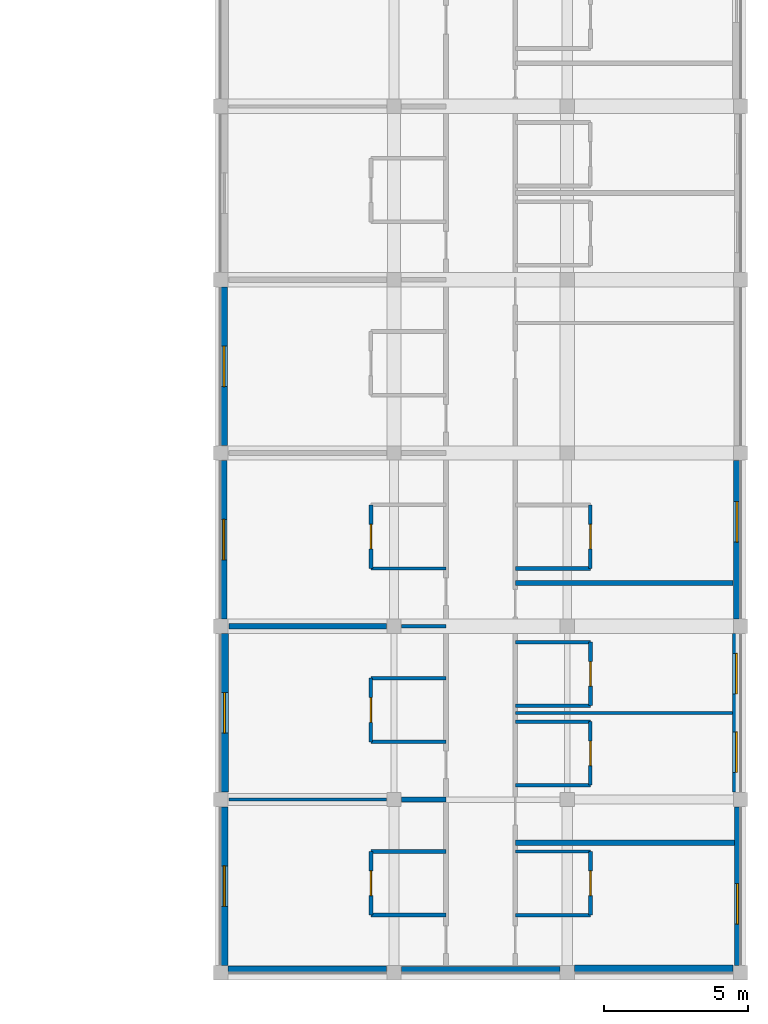
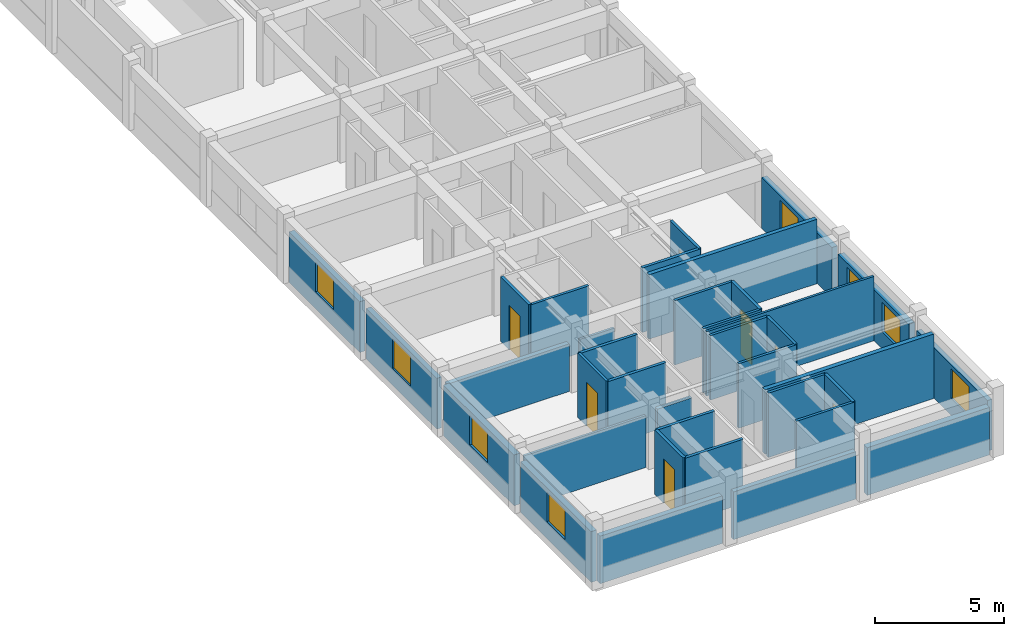
# One storey, part 3 of 15: 36 walls, 8 windows, 7 doors, 15 openings.
"""IFC4 building model written with IfcOpenShell, lengths in metres."""

from ifc_helpers import new_model, si_unit, direction, frame, frame_2d, origin, place, context, subcontext, project, spatial, rectangle, extrude, material, layer, layer_set, type_object, element, fill, save


model = new_model("IFC4")

# Units and contexts
model_context = context("Model", 3, precision=1e-05, world=origin(), true_north=direction((0.0, 1.0)))
body_context = subcontext(model_context, "Body", "Model", "MODEL_VIEW")
ifc_project = project(units=[si_unit("LENGTHUNIT", "METRE"), si_unit("AREAUNIT", "SQUARE_METRE"), si_unit("VOLUMEUNIT", "CUBIC_METRE"), si_unit("PLANEANGLEUNIT", "RADIAN"), si_unit("MASSUNIT", "GRAM", prefix="KILO"), si_unit("THERMODYNAMICTEMPERATUREUNIT", "KELVIN"), si_unit("POWERUNIT", "WATT")], contexts=[model_context])

# Site, building, storey
site_placement = place(None, origin())
site = spatial("IfcSite", under=ifc_project, at=site_placement, CompositionType="ELEMENT")
building_placement = place(site_placement, origin())
building = spatial("IfcBuilding", under=site, at=building_placement, Name="Phaisarnlok Congress Hotel", CompositionType="ELEMENT")
storey_placement = place(building_placement, frame((0.0, 0.0, 38.10009765625)))
storey = spatial("IfcBuildingStorey", under=building, at=storey_placement, Name="L09", CompositionType="ELEMENT", Elevation=38.10009765625)

# Wall, opening, window
ifc_material_1 = material(Name="Concrete C40/50", Category="concrete")
ifc_layer_1 = layer(ifc_material_1, 0.2099609375, Name="Concrete C40/50")
ifc_layer_set_1 = layer_set([ifc_layer_1], Name="Concrete C40/50")
wall_type_1 = type_object("IfcWallType", Name="WL-EXT-210", PredefinedType="SOLIDWALL", material=ifc_layer_set_1)
wall_1_placement = place(storey_placement, frame((179.89501953125, 42.2548828125, 0.0), z_axis=(0.0, 0.0, 1.0), x_axis=(0.0, 1.0, 0.0)))
wall_1 = element("IfcWall", 1, at=wall_1_placement, inside=storey, type_object=wall_type_1, Name="Exterior wall EW-07 (L09)", PredefinedType="SOLIDWALL", context=body_context, shape_type="SweptSolid", body=[
    extrude(rectangle(XDim=5.490234375, YDim=0.2099609375, at=frame_2d((2.7451171875, 0.0))), origin(), (0.0, 0.0, 1.0), 2.409912109375),
])
opening_1_placement = place(wall_1_placement, frame((1.43310546875, 0.0, 0.800048828125)))
opening_1 = element("IfcOpeningElement", 2, at=opening_1_placement, cuts=wall_1, Name="Opening W-13", PredefinedType="OPENING", context=body_context, shape_type="SweptSolid", body=[
    extrude(rectangle(XDim=1.39990234375, YDim=1.39990234375, at=frame_2d((0.699951171875, 0.699951171875))), frame((0.0, 0.114990234375, 0.0), z_axis=(0.0, -1.0, 0.0), x_axis=(1.0, 0.0, 0.0)), (0.0, 0.0, 1.0), 0.22998046875),
])
ifc_material_2 = material(Name="Thermally Broken Aluminium & Low-E Double Glazing", Category="aluminium")
window_type = type_object("IfcWindowType", Name="WIN-POD-1400", PartitioningType="SINGLE_PANEL", PredefinedType="WINDOW", material=ifc_material_2)
window_1_placement = place(opening_1_placement, origin())
window_1 = element("IfcWindow", 3, at=window_1_placement, inside=storey, type_object=window_type, Name="Guestroom window W-13 (L09)", OverallHeight=1.39990234375, OverallWidth=1.39990234375, PartitioningType="SINGLE_PANEL", PredefinedType="WINDOW", context=body_context, shape_type="SweptSolid", body=[
    extrude(rectangle(XDim=1.39990234375, YDim=1.39990234375, at=frame_2d((0.699951171875, 0.699951171875))), frame((0.0, 0.030029296875, 0.0), z_axis=(0.0, -1.0, 0.0), x_axis=(1.0, 0.0, 0.0)), (0.0, 0.0, 1.0), 0.06005859375),
])
fill(opening_1, window_1)

wall_2_placement = place(storey_placement, frame((162.10498046875, 59.7451171875, 0.0), z_axis=(0.0, 0.0, 1.0), x_axis=(0.0, -1.0, 0.0)))
wall_2 = element("IfcWall", 4, at=wall_2_placement, inside=storey, type_object=wall_type_1, Name="Exterior wall EW-07 (L09)", PredefinedType="SOLIDWALL", context=body_context, shape_type="SweptSolid", body=[
    extrude(rectangle(XDim=5.490234375, YDim=0.2099609375, at=frame_2d((2.7451171875, 0.0))), origin(), (0.0, 0.0, 1.0), 2.409912109375),
])
opening_2_placement = place(wall_2_placement, frame((2.044921875, 0.0, 0.800048828125)))
opening_2 = element("IfcOpeningElement", 5, at=opening_2_placement, cuts=wall_2, Name="Opening W-13", PredefinedType="OPENING", context=body_context, shape_type="SweptSolid", body=[
    extrude(rectangle(XDim=1.39990234375, YDim=1.39990234375, at=frame_2d((0.699951171875, 0.699951171875))), frame((0.0, 0.114990234375, 0.0), z_axis=(0.0, -1.0, 0.0), x_axis=(1.0, 0.0, 0.0)), (0.0, 0.0, 1.0), 0.22998046875),
])
window_2_placement = place(opening_2_placement, origin())
window_2 = element("IfcWindow", 6, at=window_2_placement, inside=storey, type_object=window_type, Name="Guestroom window W-13 (L09)", OverallHeight=1.39990234375, OverallWidth=1.39990234375, PartitioningType="SINGLE_PANEL", PredefinedType="WINDOW", context=body_context, shape_type="SweptSolid", body=[
    extrude(rectangle(XDim=1.39990234375, YDim=1.39990234375, at=frame_2d((0.699951171875, 0.699951171875))), frame((0.0, 0.030029296875, 0.0), z_axis=(0.0, -1.0, 0.0), x_axis=(1.0, 0.0, 0.0)), (0.0, 0.0, 1.0), 0.06005859375),
])
fill(opening_2, window_2)

# Wall
wall_3_placement = place(storey_placement, frame((168.2548828125, 42.10498046875, 0.0), z_axis=(0.0, 0.0, 1.0), x_axis=(1.0, 0.0, 0.0)))
element("IfcWall", 7, at=wall_3_placement, inside=storey, type_object=wall_type_1, Name="Exterior wall EW-07 (L09)", PredefinedType="SOLIDWALL", context=body_context, shape_type="SweptSolid", body=[
    extrude(rectangle(XDim=5.490234375, YDim=0.2099609375, at=frame_2d((2.7451171875, 0.0))), origin(), (0.0, 0.0, 1.0), 2.260009765625),
])

# Wall, opening, window
ifc_layer_2 = layer(ifc_material_1, 0.22998046875, Name="Concrete C40/50")
ifc_layer_set_2 = layer_set([ifc_layer_2], Name="Concrete C40/50")
wall_type_2 = type_object("IfcWallType", Name="WL-EXT-230", PredefinedType="SOLIDWALL", material=ifc_layer_set_2)
wall_4_placement = place(storey_placement, frame((162.114990234375, 65.7451171875, 0.0), z_axis=(0.0, 0.0, 1.0), x_axis=(0.0, -1.0, 0.0)))
wall_4 = element("IfcWall", 8, at=wall_4_placement, inside=storey, type_object=wall_type_2, Name="Exterior wall EW-06 (L09)", PredefinedType="SOLIDWALL", context=body_context, shape_type="SweptSolid", body=[
    extrude(rectangle(XDim=5.490234375, YDim=0.22998046875, at=frame_2d((2.7451171875, 0.0))), origin(), (0.0, 0.0, 1.0), 2.409912109375),
])
opening_3_placement = place(wall_4_placement, frame((2.044921875, 0.0, 0.800048828125)))
opening_3 = element("IfcOpeningElement", 9, at=opening_3_placement, cuts=wall_4, Name="Opening W-13", PredefinedType="OPENING", context=body_context, shape_type="SweptSolid", body=[
    extrude(rectangle(XDim=1.39990234375, YDim=1.39990234375, at=frame_2d((0.699951171875, 0.699951171875))), frame((0.0, 0.125, 0.0), z_axis=(0.0, -1.0, 0.0), x_axis=(1.0, 0.0, 0.0)), (0.0, 0.0, 1.0), 0.25),
])
window_3_placement = place(opening_3_placement, origin())
window_3 = element("IfcWindow", 10, at=window_3_placement, inside=storey, type_object=window_type, Name="Guestroom window W-13 (L09)", OverallHeight=1.39990234375, OverallWidth=1.39990234375, PartitioningType="SINGLE_PANEL", PredefinedType="WINDOW", context=body_context, shape_type="SweptSolid", body=[
    extrude(rectangle(XDim=1.39990234375, YDim=1.39990234375, at=frame_2d((0.699951171875, 0.699951171875))), frame((0.0, 0.030029296875, 0.0), z_axis=(0.0, -1.0, 0.0), x_axis=(1.0, 0.0, 0.0)), (0.0, 0.0, 1.0), 0.06005859375),
])
fill(opening_3, window_3)

# Wall
wall_5_placement = place(storey_placement, frame((162.2548828125, 42.114990234375, 0.0), z_axis=(0.0, 0.0, 1.0), x_axis=(1.0, 0.0, 0.0)))
element("IfcWall", 11, at=wall_5_placement, inside=storey, type_object=wall_type_2, Name="Exterior wall EW-06 (L09)", PredefinedType="SOLIDWALL", context=body_context, shape_type="SweptSolid", body=[
    extrude(rectangle(XDim=5.490234375, YDim=0.22998046875, at=frame_2d((2.7451171875, 0.0))), origin(), (0.0, 0.0, 1.0), 2.260009765625),
])

# Wall, opening, window
ifc_layer_3 = layer(ifc_material_1, 0.25, Name="Concrete C40/50")
ifc_layer_set_3 = layer_set([ifc_layer_3], Name="Concrete C40/50")
wall_type_3 = type_object("IfcWallType", Name="WL-EXT-250", PredefinedType="SOLIDWALL", material=ifc_layer_set_3)
wall_6_placement = place(storey_placement, frame((179.875, 54.2548828125, 0.0), z_axis=(0.0, 0.0, 1.0), x_axis=(0.0, 1.0, 0.0)))
wall_6 = element("IfcWall", 12, at=wall_6_placement, inside=storey, type_object=wall_type_3, Name="Exterior wall EW-05 (L09)", PredefinedType="SOLIDWALL", context=body_context, shape_type="SweptSolid", body=[
    extrude(rectangle(XDim=5.490234375, YDim=0.25, at=frame_2d((2.7451171875, 0.0))), origin(), (0.0, 0.0, 1.0), 2.409912109375),
])
opening_4_placement = place(wall_6_placement, frame((2.656982421875, 0.0, 0.800048828125)))
opening_4 = element("IfcOpeningElement", 13, at=opening_4_placement, cuts=wall_6, Name="Opening W-13", PredefinedType="OPENING", context=body_context, shape_type="SweptSolid", body=[
    extrude(rectangle(XDim=1.39990234375, YDim=1.39990234375, at=frame_2d((0.699951171875, 0.699951171875))), frame((0.0, 0.135009765625, 0.0), z_axis=(0.0, -1.0, 0.0), x_axis=(1.0, 0.0, 0.0)), (0.0, 0.0, 1.0), 0.27001953125),
])
window_4_placement = place(opening_4_placement, origin())
window_4 = element("IfcWindow", 14, at=window_4_placement, inside=storey, type_object=window_type, Name="Guestroom window W-13 (L09)", OverallHeight=1.39990234375, OverallWidth=1.39990234375, PartitioningType="SINGLE_PANEL", PredefinedType="WINDOW", context=body_context, shape_type="SweptSolid", body=[
    extrude(rectangle(XDim=1.39990234375, YDim=1.39990234375, at=frame_2d((0.699951171875, 0.699951171875))), frame((0.0, 0.030029296875, 0.0), z_axis=(0.0, -1.0, 0.0), x_axis=(1.0, 0.0, 0.0)), (0.0, 0.0, 1.0), 0.06005859375),
])
fill(opening_4, window_4)

wall_7_placement = place(storey_placement, frame((162.125, 47.7451171875, 0.0), z_axis=(0.0, 0.0, 1.0), x_axis=(0.0, -1.0, 0.0)))
wall_7 = element("IfcWall", 15, at=wall_7_placement, inside=storey, type_object=wall_type_3, Name="Exterior wall EW-05 (L09)", PredefinedType="SOLIDWALL", context=body_context, shape_type="SweptSolid", body=[
    extrude(rectangle(XDim=5.490234375, YDim=0.25, at=frame_2d((2.7451171875, 0.0))), origin(), (0.0, 0.0, 1.0), 2.409912109375),
])
opening_5_placement = place(wall_7_placement, frame((2.044921875, 0.0, 0.800048828125)))
opening_5 = element("IfcOpeningElement", 16, at=opening_5_placement, cuts=wall_7, Name="Opening W-13", PredefinedType="OPENING", context=body_context, shape_type="SweptSolid", body=[
    extrude(rectangle(XDim=1.39990234375, YDim=1.39990234375, at=frame_2d((0.699951171875, 0.699951171875))), frame((0.0, 0.135009765625, 0.0), z_axis=(0.0, -1.0, 0.0), x_axis=(1.0, 0.0, 0.0)), (0.0, 0.0, 1.0), 0.27001953125),
])
window_5_placement = place(opening_5_placement, origin())
window_5 = element("IfcWindow", 17, at=window_5_placement, inside=storey, type_object=window_type, Name="Guestroom window W-13 (L09)", OverallHeight=1.39990234375, OverallWidth=1.39990234375, PartitioningType="SINGLE_PANEL", PredefinedType="WINDOW", context=body_context, shape_type="SweptSolid", body=[
    extrude(rectangle(XDim=1.39990234375, YDim=1.39990234375, at=frame_2d((0.699951171875, 0.699951171875))), frame((0.0, 0.030029296875, 0.0), z_axis=(0.0, -1.0, 0.0), x_axis=(1.0, 0.0, 0.0)), (0.0, 0.0, 1.0), 0.06005859375),
])
fill(opening_5, window_5)

# Wall, openings, windows
ifc_layer_4 = layer(ifc_material_1, 0.27001953125, Name="Concrete C40/50")
ifc_layer_set_4 = layer_set([ifc_layer_4], Name="Concrete C40/50")
wall_type_4 = type_object("IfcWallType", Name="WL-EXT-270", PredefinedType="SOLIDWALL", material=ifc_layer_set_4)
wall_8_placement = place(storey_placement, frame((179.864990234375, 48.2548828125, 0.0), z_axis=(0.0, 0.0, 1.0), x_axis=(0.0, 1.0, 0.0)))
wall_8 = element("IfcWall", 18, at=wall_8_placement, inside=storey, type_object=wall_type_4, Name="Exterior wall EW-04 (L09)", PredefinedType="SOLIDWALL", context=body_context, shape_type="SweptSolid", body=[
    extrude(rectangle(XDim=5.490234375, YDim=0.27001953125, at=frame_2d((2.7451171875, 0.0))), origin(), (0.0, 0.0, 1.0), 2.409912109375),
])
opening_6_placement = place(wall_8_placement, frame((0.68310546875, 0.0, 0.800048828125)))
opening_6 = element("IfcOpeningElement", 19, at=opening_6_placement, cuts=wall_8, Name="Opening W-13", PredefinedType="OPENING", context=body_context, shape_type="SweptSolid", body=[
    extrude(rectangle(XDim=1.39990234375, YDim=1.39990234375, at=frame_2d((0.699951171875, 0.699951171875))), frame((0.0, 0.14501953125, 0.0), z_axis=(0.0, -1.0, 0.0), x_axis=(1.0, 0.0, 0.0)), (0.0, 0.0, 1.0), 0.2900390625),
])
opening_7_placement = place(wall_8_placement, frame((3.406982421875, 0.0, 0.800048828125)))
opening_7 = element("IfcOpeningElement", 20, at=opening_7_placement, cuts=wall_8, Name="Opening W-13", PredefinedType="OPENING", context=body_context, shape_type="SweptSolid", body=[
    extrude(rectangle(XDim=1.39990234375, YDim=1.39990234375, at=frame_2d((0.699951171875, 0.699951171875))), frame((0.0, 0.14501953125, 0.0), z_axis=(0.0, -1.0, 0.0), x_axis=(1.0, 0.0, 0.0)), (0.0, 0.0, 1.0), 0.2900390625),
])
window_6_placement = place(opening_6_placement, origin())
window_6 = element("IfcWindow", 21, at=window_6_placement, inside=storey, type_object=window_type, Name="Guestroom window W-13 (L09)", OverallHeight=1.39990234375, OverallWidth=1.39990234375, PartitioningType="SINGLE_PANEL", PredefinedType="WINDOW", context=body_context, shape_type="SweptSolid", body=[
    extrude(rectangle(XDim=1.39990234375, YDim=1.39990234375, at=frame_2d((0.699951171875, 0.699951171875))), frame((0.0, 0.030029296875, 0.0), z_axis=(0.0, -1.0, 0.0), x_axis=(1.0, 0.0, 0.0)), (0.0, 0.0, 1.0), 0.06005859375),
])
fill(opening_6, window_6)
window_7_placement = place(opening_7_placement, origin())
window_7 = element("IfcWindow", 22, at=window_7_placement, inside=storey, type_object=window_type, Name="Guestroom window W-13 (L09)", OverallHeight=1.39990234375, OverallWidth=1.39990234375, PartitioningType="SINGLE_PANEL", PredefinedType="WINDOW", context=body_context, shape_type="SweptSolid", body=[
    extrude(rectangle(XDim=1.39990234375, YDim=1.39990234375, at=frame_2d((0.699951171875, 0.699951171875))), frame((0.0, 0.030029296875, 0.0), z_axis=(0.0, -1.0, 0.0), x_axis=(1.0, 0.0, 0.0)), (0.0, 0.0, 1.0), 0.06005859375),
])
fill(opening_7, window_7)

# Wall, opening, window
wall_9_placement = place(storey_placement, frame((162.135009765625, 53.7451171875, 0.0), z_axis=(0.0, 0.0, 1.0), x_axis=(0.0, -1.0, 0.0)))
wall_9 = element("IfcWall", 23, at=wall_9_placement, inside=storey, type_object=wall_type_4, Name="Exterior wall EW-04 (L09)", PredefinedType="SOLIDWALL", context=body_context, shape_type="SweptSolid", body=[
    extrude(rectangle(XDim=5.490234375, YDim=0.27001953125, at=frame_2d((2.7451171875, 0.0))), origin(), (0.0, 0.0, 1.0), 2.409912109375),
])
opening_8_placement = place(wall_9_placement, frame((2.044921875, 0.0, 0.800048828125)))
opening_8 = element("IfcOpeningElement", 24, at=opening_8_placement, cuts=wall_9, Name="Opening W-13", PredefinedType="OPENING", context=body_context, shape_type="SweptSolid", body=[
    extrude(rectangle(XDim=1.39990234375, YDim=1.39990234375, at=frame_2d((0.699951171875, 0.699951171875))), frame((0.0, 0.14501953125, 0.0), z_axis=(0.0, -1.0, 0.0), x_axis=(1.0, 0.0, 0.0)), (0.0, 0.0, 1.0), 0.2900390625),
])
window_8_placement = place(opening_8_placement, origin())
window_8 = element("IfcWindow", 25, at=window_8_placement, inside=storey, type_object=window_type, Name="Guestroom window W-13 (L09)", OverallHeight=1.39990234375, OverallWidth=1.39990234375, PartitioningType="SINGLE_PANEL", PredefinedType="WINDOW", context=body_context, shape_type="SweptSolid", body=[
    extrude(rectangle(XDim=1.39990234375, YDim=1.39990234375, at=frame_2d((0.699951171875, 0.699951171875))), frame((0.0, 0.030029296875, 0.0), z_axis=(0.0, -1.0, 0.0), x_axis=(1.0, 0.0, 0.0)), (0.0, 0.0, 1.0), 0.06005859375),
])
fill(opening_8, window_8)

# Walls
wall_10_placement = place(storey_placement, frame((174.2548828125, 42.135009765625, 0.0), z_axis=(0.0, 0.0, 1.0), x_axis=(1.0, 0.0, 0.0)))
element("IfcWall", 26, at=wall_10_placement, inside=storey, type_object=wall_type_4, Name="Exterior wall EW-04 (L09)", PredefinedType="SOLIDWALL", context=body_context, shape_type="SweptSolid", body=[
    extrude(rectangle(XDim=5.490234375, YDim=0.27001953125, at=frame_2d((2.7451171875, 0.0))), origin(), (0.0, 0.0, 1.0), 2.260009765625),
])
ifc_material_3 = material(Name="Service Riser Shaftwall Partition", Category="gypsum")
ifc_layer_5 = layer(ifc_material_3, 0.10498046875, Name="Service Riser Shaftwall Partition")
ifc_layer_set_5 = layer_set([ifc_layer_5], Name="Service Riser Shaftwall Partition")
wall_type_5 = type_object("IfcWallType", Name="WL-INT-105", PredefinedType="PARTITIONING", material=ifc_layer_set_5)
wall_11_placement = place(storey_placement, frame((162.280029296875, 48.0, 0.0), z_axis=(0.0, 0.0, 1.0), x_axis=(1.0, 0.0, 0.0)))
element("IfcWall", 27, at=wall_11_placement, inside=storey, type_object=wall_type_5, Name="Interior partition wall IW-08 (L09)", PredefinedType="PARTITIONING", context=body_context, shape_type="SweptSolid", body=[
    extrude(rectangle(XDim=5.465087890625, YDim=0.10498046875, at=frame_2d((2.732421875, 0.0))), origin(), (0.0, 0.0, 1.0), 2.4599609375),
])
wall_12_placement = place(storey_placement, frame((172.199951171875, 51.0, 0.0), z_axis=(0.0, 0.0, 1.0), x_axis=(1.0, 0.0, 0.0)))
element("IfcWall", 28, at=wall_12_placement, inside=storey, type_object=wall_type_5, Name="Interior partition wall IW-08 (L09)", PredefinedType="PARTITIONING", context=body_context, shape_type="SweptSolid", body=[
    extrude(rectangle(XDim=7.525146484375, YDim=0.10498046875, at=frame_2d((3.7626953125, 0.0))), origin(), (0.0, 0.0, 1.0), 3.059814453125),
])
wall_13_placement = place(storey_placement, frame((168.2548828125, 54.0, 0.0), z_axis=(0.0, 0.0, 1.0), x_axis=(1.0, 0.0, 0.0)))
element("IfcWall", 29, at=wall_13_placement, inside=storey, type_object=wall_type_5, Name="Interior partition wall IW-08 (L09)", PredefinedType="PARTITIONING", context=body_context, shape_type="SweptSolid", body=[
    extrude(rectangle(XDim=1.545166015625, YDim=0.10498046875, at=frame_2d((0.7724609375, 0.0))), origin(), (0.0, 0.0, 1.0), 2.260009765625),
])

# Wall, opening, door
ifc_material_4 = material(Name="Lightweight Metal-Stud Gypsum Partition", Category="gypsum")
ifc_layer_6 = layer(ifc_material_4, 0.1201171875, Name="Lightweight Metal-Stud Gypsum Partition")
ifc_layer_set_6 = layer_set([ifc_layer_6], Name="Lightweight Metal-Stud Gypsum Partition")
wall_type_6 = type_object("IfcWallType", Name="WL-INT-120", PredefinedType="PARTITIONING", material=ifc_layer_set_6)
wall_14_placement = place(storey_placement, frame((167.199951171875, 50.0, 0.0), z_axis=(0.0, 0.0, 1.0), x_axis=(0.0, 1.0, 0.0)))
wall_14 = element("IfcWall", 30, at=wall_14_placement, inside=storey, type_object=wall_type_6, Name="Interior partition wall IW-07 (L09)", PredefinedType="PARTITIONING", context=body_context, shape_type="SweptSolid", body=[
    extrude(rectangle(XDim=2.199951171875, YDim=0.1201171875, at=frame_2d((1.10009765625, 0.0))), origin(), (0.0, 0.0, 1.0), 3.059814453125),
])
opening_9_placement = place(wall_14_placement, frame((0.675048828125, 0.0, 0.0)))
opening_9 = element("IfcOpeningElement", 31, at=opening_9_placement, cuts=wall_14, Name="Opening D-0543", PredefinedType="OPENING", context=body_context, shape_type="SweptSolid", body=[
    extrude(rectangle(XDim=0.85009765625, YDim=2.10009765625, at=frame_2d((0.425048828125, 1.050048828125))), frame((0.0, 0.070068359375, 0.0), z_axis=(0.0, -1.0, 0.0), x_axis=(1.0, 0.0, 0.0)), (0.0, 0.0, 1.0), 0.14013671875),
])
ifc_material_5 = material(Name="Moisture-Resistant Lacquered Timber", Category="wood")
door_type = type_object("IfcDoorType", Name="DR-BATH-850", OperationType="NOTDEFINED", PredefinedType="DOOR", material=ifc_material_5)
door_1_placement = place(opening_9_placement, origin())
door_1 = element("IfcDoor", 32, at=door_1_placement, inside=storey, type_object=door_type, Name="Interior door D-0543 (L09)", OperationType="SINGLE_SWING_RIGHT", OverallHeight=2.10009765625, OverallWidth=0.85009765625, PredefinedType="DOOR", context=body_context, shape_type="SweptSolid", body=[
    extrude(rectangle(XDim=0.85009765625, YDim=2.10009765625, at=frame_2d((0.425048828125, 1.050048828125))), frame((0.0, 0.02490234375, 0.0), z_axis=(0.0, -1.0, 0.0), x_axis=(1.0, 0.0, 0.0)), (0.0, 0.0, 1.0), 0.050048828125),
])
fill(opening_9, door_1)

wall_15_placement = place(storey_placement, frame((174.800048828125, 48.5, 0.0), z_axis=(0.0, 0.0, 1.0), x_axis=(0.0, 1.0, 0.0)))
wall_15 = element("IfcWall", 33, at=wall_15_placement, inside=storey, type_object=wall_type_6, Name="Interior partition wall IW-07 (L09)", PredefinedType="PARTITIONING", context=body_context, shape_type="SweptSolid", body=[
    extrude(rectangle(XDim=2.199951171875, YDim=0.1201171875, at=frame_2d((1.10009765625, 0.0))), origin(), (0.0, 0.0, 1.0), 3.059814453125),
])
opening_10_placement = place(wall_15_placement, frame((0.675048828125, 0.0, 0.0)))
opening_10 = element("IfcOpeningElement", 34, at=opening_10_placement, cuts=wall_15, Name="Opening D-0518", PredefinedType="OPENING", context=body_context, shape_type="SweptSolid", body=[
    extrude(rectangle(XDim=0.85009765625, YDim=2.10009765625, at=frame_2d((0.425048828125, 1.050048828125))), frame((0.0, 0.070068359375, 0.0), z_axis=(0.0, -1.0, 0.0), x_axis=(1.0, 0.0, 0.0)), (0.0, 0.0, 1.0), 0.14013671875),
])
door_2_placement = place(opening_10_placement, origin())
door_2 = element("IfcDoor", 35, at=door_2_placement, inside=storey, type_object=door_type, Name="Interior door D-0518 (L09)", OperationType="SINGLE_SWING_LEFT", OverallHeight=2.10009765625, OverallWidth=0.85009765625, PredefinedType="DOOR", context=body_context, shape_type="SweptSolid", body=[
    extrude(rectangle(XDim=0.85009765625, YDim=2.10009765625, at=frame_2d((0.425048828125, 1.050048828125))), frame((0.0, 0.02490234375, 0.0), z_axis=(0.0, -1.0, 0.0), x_axis=(1.0, 0.0, 0.0)), (0.0, 0.0, 1.0), 0.050048828125),
])
fill(opening_10, door_2)

wall_16_placement = place(storey_placement, frame((174.800048828125, 56.0, 0.0), z_axis=(0.0, 0.0, 1.0), x_axis=(0.0, 1.0, 0.0)))
wall_16 = element("IfcWall", 36, at=wall_16_placement, inside=storey, type_object=wall_type_6, Name="Interior partition wall IW-07 (L09)", PredefinedType="PARTITIONING", context=body_context, shape_type="SweptSolid", body=[
    extrude(rectangle(XDim=2.199951171875, YDim=0.1201171875, at=frame_2d((1.10009765625, 0.0))), origin(), (0.0, 0.0, 1.0), 3.059814453125),
])
opening_11_placement = place(wall_16_placement, frame((0.675048828125, 0.0, 0.0)))
opening_11 = element("IfcOpeningElement", 37, at=opening_11_placement, cuts=wall_16, Name="Opening D-0522", PredefinedType="OPENING", context=body_context, shape_type="SweptSolid", body=[
    extrude(rectangle(XDim=0.85009765625, YDim=2.10009765625, at=frame_2d((0.425048828125, 1.050048828125))), frame((0.0, 0.070068359375, 0.0), z_axis=(0.0, -1.0, 0.0), x_axis=(1.0, 0.0, 0.0)), (0.0, 0.0, 1.0), 0.14013671875),
])
door_3_placement = place(opening_11_placement, origin())
door_3 = element("IfcDoor", 38, at=door_3_placement, inside=storey, type_object=door_type, Name="Interior door D-0522 (L09)", OperationType="SINGLE_SWING_LEFT", OverallHeight=2.10009765625, OverallWidth=0.85009765625, PredefinedType="DOOR", context=body_context, shape_type="SweptSolid", body=[
    extrude(rectangle(XDim=0.85009765625, YDim=2.10009765625, at=frame_2d((0.425048828125, 1.050048828125))), frame((0.0, 0.02490234375, 0.0), z_axis=(0.0, -1.0, 0.0), x_axis=(1.0, 0.0, 0.0)), (0.0, 0.0, 1.0), 0.050048828125),
])
fill(opening_11, door_3)

# Walls
for number, where, z_axis, x_axis, name in (
    (39, (172.199951171875, 44.0, 0.0), (0.0, 0.0, 1.0), (1.0, 0.0, 0.0), "Interior partition wall IW-07 (L09)"),
    (40, (172.199951171875, 46.199951171875, 0.0), (0.0, 0.0, 1.0), (1.0, 0.0, 0.0), "Interior partition wall IW-07 (L09)"),
    (41, (172.199951171875, 48.5, 0.0), (0.0, 0.0, 1.0), (1.0, 0.0, 0.0), "Interior partition wall IW-07 (L09)"),
    (42, (172.199951171875, 50.699951171875, 0.0), (0.0, 0.0, 1.0), (1.0, 0.0, 0.0), "Interior partition wall IW-07 (L09)"),
    (43, (172.199951171875, 51.25, 0.0), (0.0, 0.0, 1.0), (1.0, 0.0, 0.0), "Interior partition wall IW-07 (L09)"),
    (44, (172.199951171875, 53.449951171875, 0.0), (0.0, 0.0, 1.0), (1.0, 0.0, 0.0), "Interior partition wall IW-07 (L09)"),
    (45, (167.199951171875, 56.0, 0.0), (0.0, 0.0, 1.0), (1.0, 0.0, 0.0), "Interior partition wall IW-07 (L09)"),
):
    element("IfcWall", number, at=place(storey_placement, frame(where, z_axis=z_axis, x_axis=x_axis)), inside=storey, type_object=wall_type_6, Name=name, PredefinedType="PARTITIONING", context=body_context, shape_type="SweptSolid", body=[
        extrude(rectangle(XDim=2.60009765625, YDim=0.1201171875, at=frame_2d((1.300048828125, 0.0))), origin(), (0.0, 0.0, 1.0), 3.059814453125),
    ])

# Wall, opening, door
ifc_material_6 = material(Name="Moisture-Resistant Gypsum Partition", Category="gypsum")
ifc_layer_7 = layer(ifc_material_6, 0.135009765625, Name="Moisture-Resistant Gypsum Partition")
ifc_layer_set_7 = layer_set([ifc_layer_7], Name="Moisture-Resistant Gypsum Partition")
wall_type_7 = type_object("IfcWallType", Name="WL-INT-135", PredefinedType="PARTITIONING", material=ifc_layer_set_7)
wall_17_placement = place(storey_placement, frame((167.199951171875, 44.0, 0.0), z_axis=(0.0, 0.0, 1.0), x_axis=(0.0, 1.0, 0.0)))
wall_17 = element("IfcWall", 46, at=wall_17_placement, inside=storey, type_object=wall_type_7, Name="Interior partition wall IW-06 (L09)", PredefinedType="PARTITIONING", context=body_context, shape_type="SweptSolid", body=[
    extrude(rectangle(XDim=2.199951171875, YDim=0.135009765625, at=frame_2d((1.10009765625, 0.0))), origin(), (0.0, 0.0, 1.0), 3.059814453125),
])
opening_12_placement = place(wall_17_placement, frame((0.675048828125, 0.0, 0.0)))
opening_12 = element("IfcOpeningElement", 47, at=opening_12_placement, cuts=wall_17, Name="Opening D-0541", PredefinedType="OPENING", context=body_context, shape_type="SweptSolid", body=[
    extrude(rectangle(XDim=0.85009765625, YDim=2.10009765625, at=frame_2d((0.425048828125, 1.050048828125))), frame((0.0, 0.07763671875, 0.0), z_axis=(0.0, -1.0, 0.0), x_axis=(1.0, 0.0, 0.0)), (0.0, 0.0, 1.0), 0.155029296875),
])
door_4_placement = place(opening_12_placement, origin())
door_4 = element("IfcDoor", 48, at=door_4_placement, inside=storey, type_object=door_type, Name="Interior door D-0541 (L09)", OperationType="SINGLE_SWING_RIGHT", OverallHeight=2.10009765625, OverallWidth=0.85009765625, PredefinedType="DOOR", context=body_context, shape_type="SweptSolid", body=[
    extrude(rectangle(XDim=0.85009765625, YDim=2.10009765625, at=frame_2d((0.425048828125, 1.050048828125))), frame((0.0, 0.02490234375, 0.0), z_axis=(0.0, -1.0, 0.0), x_axis=(1.0, 0.0, 0.0)), (0.0, 0.0, 1.0), 0.050048828125),
])
fill(opening_12, door_4)

wall_18_placement = place(storey_placement, frame((167.199951171875, 56.0, 0.0), z_axis=(0.0, 0.0, 1.0), x_axis=(0.0, 1.0, 0.0)))
wall_18 = element("IfcWall", 49, at=wall_18_placement, inside=storey, type_object=wall_type_7, Name="Interior partition wall IW-06 (L09)", PredefinedType="PARTITIONING", context=body_context, shape_type="SweptSolid", body=[
    extrude(rectangle(XDim=2.199951171875, YDim=0.135009765625, at=frame_2d((1.10009765625, 0.0))), origin(), (0.0, 0.0, 1.0), 3.059814453125),
])
opening_13_placement = place(wall_18_placement, frame((0.675048828125, 0.0, 0.0)))
opening_13 = element("IfcOpeningElement", 50, at=opening_13_placement, cuts=wall_18, Name="Opening D-0545", PredefinedType="OPENING", context=body_context, shape_type="SweptSolid", body=[
    extrude(rectangle(XDim=0.85009765625, YDim=2.10009765625, at=frame_2d((0.425048828125, 1.050048828125))), frame((0.0, 0.07763671875, 0.0), z_axis=(0.0, -1.0, 0.0), x_axis=(1.0, 0.0, 0.0)), (0.0, 0.0, 1.0), 0.155029296875),
])
door_5_placement = place(opening_13_placement, origin())
door_5 = element("IfcDoor", 51, at=door_5_placement, inside=storey, type_object=door_type, Name="Interior door D-0545 (L09)", OperationType="SINGLE_SWING_RIGHT", OverallHeight=2.10009765625, OverallWidth=0.85009765625, PredefinedType="DOOR", context=body_context, shape_type="SweptSolid", body=[
    extrude(rectangle(XDim=0.85009765625, YDim=2.10009765625, at=frame_2d((0.425048828125, 1.050048828125))), frame((0.0, 0.02490234375, 0.0), z_axis=(0.0, -1.0, 0.0), x_axis=(1.0, 0.0, 0.0)), (0.0, 0.0, 1.0), 0.050048828125),
])
fill(opening_13, door_5)

wall_19_placement = place(storey_placement, frame((174.800048828125, 44.0, 0.0), z_axis=(0.0, 0.0, 1.0), x_axis=(0.0, 1.0, 0.0)))
wall_19 = element("IfcWall", 52, at=wall_19_placement, inside=storey, type_object=wall_type_7, Name="Interior partition wall IW-06 (L09)", PredefinedType="PARTITIONING", context=body_context, shape_type="SweptSolid", body=[
    extrude(rectangle(XDim=2.199951171875, YDim=0.135009765625, at=frame_2d((1.10009765625, 0.0))), origin(), (0.0, 0.0, 1.0), 3.059814453125),
])
opening_14_placement = place(wall_19_placement, frame((0.675048828125, 0.0, 0.0)))
opening_14 = element("IfcOpeningElement", 53, at=opening_14_placement, cuts=wall_19, Name="Opening D-0516", PredefinedType="OPENING", context=body_context, shape_type="SweptSolid", body=[
    extrude(rectangle(XDim=0.85009765625, YDim=2.10009765625, at=frame_2d((0.425048828125, 1.050048828125))), frame((0.0, 0.07763671875, 0.0), z_axis=(0.0, -1.0, 0.0), x_axis=(1.0, 0.0, 0.0)), (0.0, 0.0, 1.0), 0.155029296875),
])
door_6_placement = place(opening_14_placement, origin())
door_6 = element("IfcDoor", 54, at=door_6_placement, inside=storey, type_object=door_type, Name="Interior door D-0516 (L09)", OperationType="SINGLE_SWING_LEFT", OverallHeight=2.10009765625, OverallWidth=0.85009765625, PredefinedType="DOOR", context=body_context, shape_type="SweptSolid", body=[
    extrude(rectangle(XDim=0.85009765625, YDim=2.10009765625, at=frame_2d((0.425048828125, 1.050048828125))), frame((0.0, 0.02490234375, 0.0), z_axis=(0.0, -1.0, 0.0), x_axis=(1.0, 0.0, 0.0)), (0.0, 0.0, 1.0), 0.050048828125),
])
fill(opening_14, door_6)

wall_20_placement = place(storey_placement, frame((174.800048828125, 51.25, 0.0), z_axis=(0.0, 0.0, 1.0), x_axis=(0.0, 1.0, 0.0)))
wall_20 = element("IfcWall", 55, at=wall_20_placement, inside=storey, type_object=wall_type_7, Name="Interior partition wall IW-06 (L09)", PredefinedType="PARTITIONING", context=body_context, shape_type="SweptSolid", body=[
    extrude(rectangle(XDim=2.199951171875, YDim=0.135009765625, at=frame_2d((1.10009765625, 0.0))), origin(), (0.0, 0.0, 1.0), 3.059814453125),
])
opening_15_placement = place(wall_20_placement, frame((0.675048828125, 0.0, 0.0)))
opening_15 = element("IfcOpeningElement", 56, at=opening_15_placement, cuts=wall_20, Name="Opening D-0520", PredefinedType="OPENING", context=body_context, shape_type="SweptSolid", body=[
    extrude(rectangle(XDim=0.85009765625, YDim=2.10009765625, at=frame_2d((0.425048828125, 1.050048828125))), frame((0.0, 0.07763671875, 0.0), z_axis=(0.0, -1.0, 0.0), x_axis=(1.0, 0.0, 0.0)), (0.0, 0.0, 1.0), 0.155029296875),
])
door_7_placement = place(opening_15_placement, origin())
door_7 = element("IfcDoor", 57, at=door_7_placement, inside=storey, type_object=door_type, Name="Interior door D-0520 (L09)", OperationType="SINGLE_SWING_LEFT", OverallHeight=2.10009765625, OverallWidth=0.85009765625, PredefinedType="DOOR", context=body_context, shape_type="SweptSolid", body=[
    extrude(rectangle(XDim=0.85009765625, YDim=2.10009765625, at=frame_2d((0.425048828125, 1.050048828125))), frame((0.0, 0.02490234375, 0.0), z_axis=(0.0, -1.0, 0.0), x_axis=(1.0, 0.0, 0.0)), (0.0, 0.0, 1.0), 0.050048828125),
])
fill(opening_15, door_7)

# Walls
for number, where, z_axis, x_axis, name in (
    (58, (167.199951171875, 44.0, 0.0), (0.0, 0.0, 1.0), (1.0, 0.0, 0.0), "Interior partition wall IW-06 (L09)"),
    (59, (167.199951171875, 46.199951171875, 0.0), (0.0, 0.0, 1.0), (1.0, 0.0, 0.0), "Interior partition wall IW-06 (L09)"),
    (60, (167.199951171875, 50.0, 0.0), (0.0, 0.0, 1.0), (1.0, 0.0, 0.0), "Interior partition wall IW-06 (L09)"),
    (61, (167.199951171875, 52.199951171875, 0.0), (0.0, 0.0, 1.0), (1.0, 0.0, 0.0), "Interior partition wall IW-06 (L09)"),
    (62, (172.199951171875, 56.0, 0.0), (0.0, 0.0, 1.0), (1.0, 0.0, 0.0), "Interior partition wall IW-06 (L09)"),
):
    element("IfcWall", number, at=place(storey_placement, frame(where, z_axis=z_axis, x_axis=x_axis)), inside=storey, type_object=wall_type_7, Name=name, PredefinedType="PARTITIONING", context=body_context, shape_type="SweptSolid", body=[
        extrude(rectangle(XDim=2.60009765625, YDim=0.135009765625, at=frame_2d((1.300048828125, 0.0))), origin(), (0.0, 0.0, 1.0), 3.059814453125),
    ])
ifc_material_7 = material(Name="Autoclaved Aerated Concrete Block", Category="concrete")
ifc_layer_8 = layer(ifc_material_7, 0.179931640625, Name="Autoclaved Aerated Concrete Block")
ifc_layer_set_8 = layer_set([ifc_layer_8], Name="Autoclaved Aerated Concrete Block")
wall_type_8 = type_object("IfcWallType", Name="WL-INT-180", PredefinedType="PARTITIONING", material=ifc_layer_set_8)
wall_21_placement = place(storey_placement, frame((168.2548828125, 48.0, 0.0), z_axis=(0.0, 0.0, 1.0), x_axis=(1.0, 0.0, 0.0)))
element("IfcWall", 63, at=wall_21_placement, inside=storey, type_object=wall_type_8, Name="Interior partition wall IW-03 (L09)", PredefinedType="PARTITIONING", context=body_context, shape_type="SweptSolid", body=[
    extrude(rectangle(XDim=1.545166015625, YDim=0.179931640625, at=frame_2d((0.7724609375, 0.0))), origin(), (0.0, 0.0, 1.0), 2.60986328125),
])
wall_22_placement = place(storey_placement, frame((172.199951171875, 55.5, 0.0), z_axis=(0.0, 0.0, 1.0), x_axis=(1.0, 0.0, 0.0)))
element("IfcWall", 64, at=wall_22_placement, inside=storey, type_object=wall_type_8, Name="Interior partition wall IW-03 (L09)", PredefinedType="PARTITIONING", context=body_context, shape_type="SweptSolid", body=[
    extrude(rectangle(XDim=7.545166015625, YDim=0.179931640625, at=frame_2d((3.7724609375, 0.0))), origin(), (0.0, 0.0, 1.0), 3.059814453125),
])
ifc_layer_9 = layer(ifc_material_7, 0.199951171875, Name="Autoclaved Aerated Concrete Block")
ifc_layer_set_9 = layer_set([ifc_layer_9], Name="Autoclaved Aerated Concrete Block")
wall_type_9 = type_object("IfcWallType", Name="WL-INT-200", PredefinedType="PARTITIONING", material=ifc_layer_set_9)
wall_23_placement = place(storey_placement, frame((172.199951171875, 46.5, 0.0), z_axis=(0.0, 0.0, 1.0), x_axis=(1.0, 0.0, 0.0)))
element("IfcWall", 65, at=wall_23_placement, inside=storey, type_object=wall_type_9, Name="Interior partition wall IW-02 (L09)", PredefinedType="PARTITIONING", context=body_context, shape_type="SweptSolid", body=[
    extrude(rectangle(XDim=7.5849609375, YDim=0.199951171875, at=frame_2d((3.79248046875, 0.0))), origin(), (0.0, 0.0, 1.0), 3.059814453125),
])
wall_24_placement = place(storey_placement, frame((162.280029296875, 54.0, 0.0), z_axis=(0.0, 0.0, 1.0), x_axis=(1.0, 0.0, 0.0)))
element("IfcWall", 66, at=wall_24_placement, inside=storey, type_object=wall_type_9, Name="Interior partition wall IW-02 (L09)", PredefinedType="PARTITIONING", context=body_context, shape_type="SweptSolid", body=[
    extrude(rectangle(XDim=5.465087890625, YDim=0.199951171875, at=frame_2d((2.732421875, 0.0))), origin(), (0.0, 0.0, 1.0), 2.260009765625),
])

save(model, "model.ifc")
